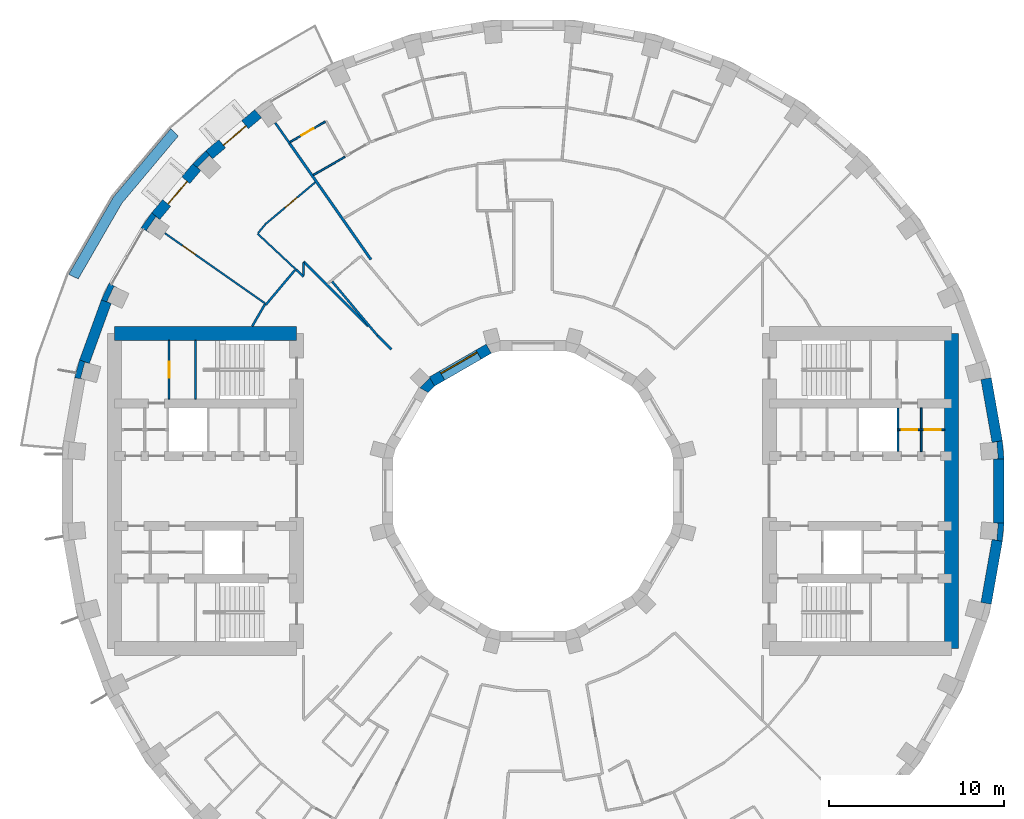
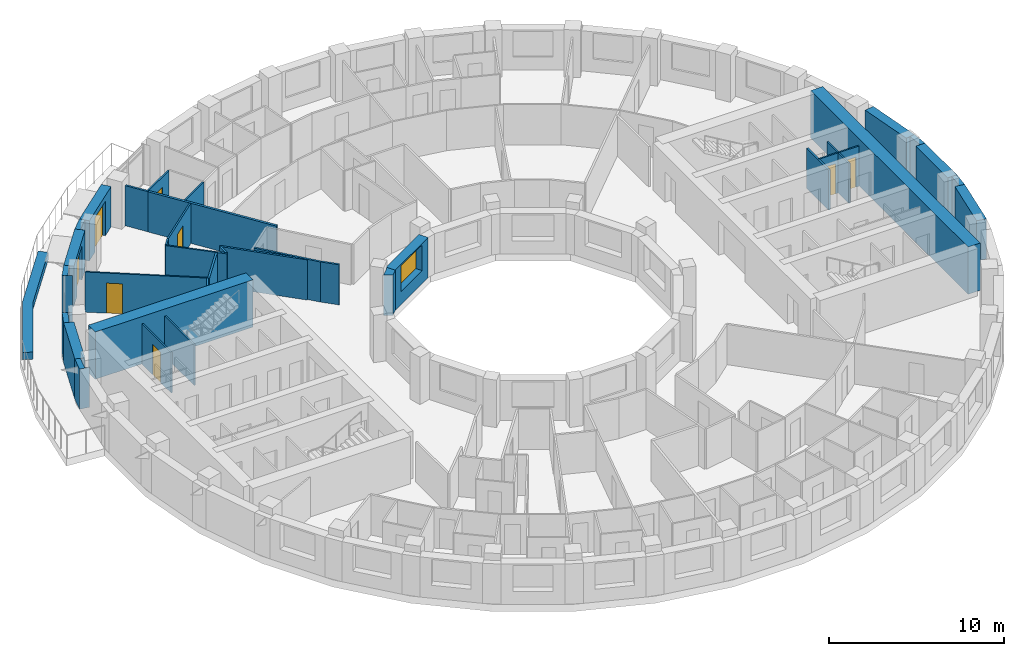
# One storey, part 10 of 15: 38 walls, 8 doors, 1 window, 9 openings.
"""IFC4 building model written with IfcOpenShell, lengths in metres."""

from ifc_helpers import new_model, si_unit, direction, frame, frame_2d, origin, place, context, subcontext, project, spatial, polyline, rectangle, outline, extrude, material, layer, layer_set, type_object, element, fill, save


model = new_model("IFC4")

# Units and contexts
model_context = context("Model", 3, precision=1e-05, world=origin(), true_north=direction((0.0, 1.0)))
body_context = subcontext(model_context, "Body", "Model", "MODEL_VIEW")
ifc_project = project(units=[si_unit("LENGTHUNIT", "METRE"), si_unit("AREAUNIT", "SQUARE_METRE"), si_unit("VOLUMEUNIT", "CUBIC_METRE"), si_unit("PLANEANGLEUNIT", "RADIAN"), si_unit("MASSUNIT", "GRAM", prefix="KILO")], contexts=[model_context])

# Site, building, storey
site_placement = place(None, origin())
site = spatial("IfcSite", under=ifc_project, at=site_placement, CompositionType="ELEMENT")
building_placement = place(site_placement, origin())
building = spatial("IfcBuilding", under=site, at=building_placement, Name="Saqina Gate Tower", CompositionType="ELEMENT")
storey_placement = place(building_placement, frame((0.0, 0.0, 108.39990234375)))
storey = spatial("IfcBuildingStorey", under=building, at=storey_placement, Name="L30", CompositionType="ELEMENT", Elevation=108.39990234375)

# Walls
ifc_material_1 = material(Name="Brick masonry (buff)", Category="masonry")
wall_type_1 = type_object("IfcWallType", Name="BRICK PIER COPING BUFF", PredefinedType="SOLIDWALL", material=ifc_material_1)
wall_1_placement = place(storey_placement, origin())
element("IfcWall", 1, at=wall_1_placement, inside=storey, type_object=wall_type_1, Name="Pier cap L30 column 1", PredefinedType="SOLIDWALL", context=body_context, shape_type="SweptSolid", body=[
    extrude(outline(polyline([(26.805419921875, 2.87451171875), (26.214599609375, 2.770263671875), (26.482421875, 2.793701171875), (26.565185546875, 1.847412109375), (26.29736328125, 1.823974609375), (26.897216796875, 1.823974609375), (26.805419921875, 2.87451171875)])), origin(), (0.0, 0.0, 1.0), 2.800048828125),
])
wall_2_placement = place(storey_placement, origin())
element("IfcWall", 2, at=wall_2_placement, inside=storey, type_object=wall_type_1, Name="Pier cap L30 column 14", PredefinedType="SOLIDWALL", context=body_context, shape_type="SweptSolid", body=[
    extrude(outline(polyline([(-18.686279296875, 19.43212890625), (-19.43212890625, 18.686279296875), (-18.972412109375, 18.30078125), (-19.16259765625, 18.49072265625), (-18.49072265625, 19.16259765625), (-18.30078125, 18.972412109375), (-18.686279296875, 19.43212890625)])), origin(), (0.0, 0.0, 1.0), 2.800048828125),
])
wall_3_placement = place(storey_placement, origin())
element("IfcWall", 3, at=wall_3_placement, inside=storey, type_object=wall_type_1, Name="Pier cap L30 column 15", PredefinedType="SOLIDWALL", context=body_context, shape_type="SweptSolid", body=[
    extrude(outline(polyline([(-22.3818359375, 15.0283203125), (-21.862060546875, 14.728271484375), (-22.08251953125, 14.88232421875), (-21.53759765625, 15.66064453125), (-21.317138671875, 15.50634765625), (-21.77685546875, 15.89208984375), (-22.3818359375, 15.0283203125)])), origin(), (0.0, 0.0, 1.0), 2.800048828125),
])
wall_4_placement = place(storey_placement, origin())
element("IfcWall", 4, at=wall_4_placement, inside=storey, type_object=wall_type_1, Name="Pier cap L30 column 16", PredefinedType="SOLIDWALL", context=body_context, shape_type="SweptSolid", body=[
    extrude(outline(polyline([(-24.6513671875, 10.913330078125), (-24.08740234375, 10.7080078125), (-24.331298828125, 10.82177734375), (-23.9296875, 11.6826171875), (-23.68603515625, 11.569091796875), (-24.205810546875, 11.869140625), (-24.6513671875, 10.913330078125)])), origin(), (0.0, 0.0, 1.0), 2.800048828125),
])
wall_5_placement = place(storey_placement, origin())
element("IfcWall", 5, at=wall_5_placement, inside=storey, type_object=wall_type_1, Name="Pier cap L30 column 17", PredefinedType="SOLIDWALL", context=body_context, shape_type="SweptSolid", body=[
    extrude(outline(polyline([(-25.89892578125, 7.485595703125), (-26.171875, 6.466796875), (-25.5810546875, 6.36279296875), (-25.8408203125, 6.43212890625), (-25.5947265625, 7.349853515625), (-25.335205078125, 7.2802734375), (-25.89892578125, 7.485595703125)])), origin(), (0.0, 0.0, 1.0), 2.800048828125),
])
wall_6_placement = place(storey_placement, origin())
element("IfcWall", 6, at=wall_6_placement, inside=storey, type_object=wall_type_1, Name="Pier cap L30 column 36", PredefinedType="SOLIDWALL", context=body_context, shape_type="SweptSolid", body=[
    extrude(outline(polyline([(26.805419921875, -2.87451171875), (26.897216796875, -1.823974609375), (26.29736328125, -1.823974609375), (26.565185546875, -1.847412109375), (26.482421875, -2.793701171875), (26.214599609375, -2.770263671875), (26.805419921875, -2.87451171875)])), origin(), (0.0, 0.0, 1.0), 2.800048828125),
])
ifc_material_2 = material(Name="Gypsum board on steel studs", Category="steel")
ifc_layer_1 = layer(ifc_material_2, 0.10009765625)
ifc_layer_set_1 = layer_set([ifc_layer_1], Name="CORE PARTITION")
wall_type_2 = type_object("IfcWallType", Name="CORE PARTITION", PredefinedType="PARTITIONING", material=ifc_layer_set_1)
wall_7_placement = place(storey_placement, frame((22.169921875, 2.25, 0.0), z_axis=(0.0, 0.0, 1.0), x_axis=(0.0, 1.0, 0.0)))
element("IfcWall", 7, at=wall_7_placement, inside=storey, type_object=wall_type_2, Name="L30-CP-E05", PredefinedType="PARTITIONING", context=body_context, shape_type="SweptSolid", body=[
    extrude(rectangle(XDim=2.5, YDim=0.10009765625, at=frame_2d((1.25, 0.0))), origin(), (0.0, 0.0, 1.0), 2.800048828125),
])

# Wall, opening, door
wall_8_placement = place(storey_placement, frame((20.840087890625, 3.5, 0.0), z_axis=(0.0, 0.0, 1.0), x_axis=(1.0, 0.0, 0.0)))
wall_8 = element("IfcWall", 8, at=wall_8_placement, inside=storey, type_object=wall_type_2, Name="L30-CP-E09", PredefinedType="PARTITIONING", context=body_context, shape_type="SweptSolid", body=[
    extrude(rectangle(XDim=1.329833984375, YDim=0.10009765625, at=frame_2d((0.6650390625, 0.0))), origin(), (0.0, 0.0, 1.0), 2.800048828125),
])
opening_1_placement = place(wall_8_placement, frame((0.215087890625, 0.0, 0.0)))
opening_1 = element("IfcOpeningElement", 9, at=opening_1_placement, cuts=wall_8, Name="Opening G08-D99", PredefinedType="OPENING", context=body_context, shape_type="SweptSolid", body=[
    extrude(rectangle(XDim=0.89990234375, YDim=2.10009765625, at=frame_2d((0.449951171875, 1.050048828125))), frame((0.0, 0.06201171875, 0.0), z_axis=(0.0, -1.0, 0.0), x_axis=(1.0, 0.0, 0.0)), (0.0, 0.0, 1.0), 0.1240234375),
])
ifc_material_3 = material(Name="Steel-framed fire door leaf, EI 60", Category="steel")
door_type_1 = type_object("IfcDoorType", Name="SERVICE ROOM DOOR 900", OperationType="SINGLE_SWING_LEFT", PredefinedType="DOOR", material=ifc_material_3)
door_1_placement = place(opening_1_placement, origin())
door_1 = element("IfcDoor", 10, at=door_1_placement, inside=storey, type_object=door_type_1, Name="L30-CD-E10", OperationType="SINGLE_SWING_LEFT", OverallHeight=2.10009765625, OverallWidth=0.89990234375, PredefinedType="DOOR", context=body_context, shape_type="SweptSolid", body=[
    extrude(rectangle(XDim=0.89990234375, YDim=2.10009765625, at=frame_2d((0.449951171875, 1.050048828125))), frame((0.0, 0.02490234375, 0.0), z_axis=(0.0, -1.0, 0.0), x_axis=(1.0, 0.0, 0.0)), (0.0, 0.0, 1.0), 0.050048828125),
])
fill(opening_1, door_1)

wall_9_placement = place(storey_placement, frame((22.169921875, 3.5, 0.0), z_axis=(0.0, 0.0, 1.0), x_axis=(1.0, 0.0, 0.0)))
wall_9 = element("IfcWall", 11, at=wall_9_placement, inside=storey, type_object=wall_type_2, Name="L30-CP-E10", PredefinedType="PARTITIONING", context=body_context, shape_type="SweptSolid", body=[
    extrude(rectangle(XDim=1.330078125, YDim=0.10009765625, at=frame_2d((0.6650390625, 0.0))), origin(), (0.0, 0.0, 1.0), 2.800048828125),
])
opening_2_placement = place(wall_9_placement, frame((0.215087890625, 0.0, 0.0)))
opening_2 = element("IfcOpeningElement", 12, at=opening_2_placement, cuts=wall_9, Name="Opening G08-D98", PredefinedType="OPENING", context=body_context, shape_type="SweptSolid", body=[
    extrude(rectangle(XDim=0.89990234375, YDim=2.10009765625, at=frame_2d((0.449951171875, 1.050048828125))), frame((0.0, 0.06201171875, 0.0), z_axis=(0.0, -1.0, 0.0), x_axis=(1.0, 0.0, 0.0)), (0.0, 0.0, 1.0), 0.1240234375),
])
door_2_placement = place(opening_2_placement, origin())
door_2 = element("IfcDoor", 13, at=door_2_placement, inside=storey, type_object=door_type_1, Name="L30-CD-E09", OperationType="SINGLE_SWING_RIGHT", OverallHeight=2.10009765625, OverallWidth=0.89990234375, PredefinedType="DOOR", context=body_context, shape_type="SweptSolid", body=[
    extrude(rectangle(XDim=0.89990234375, YDim=2.10009765625, at=frame_2d((0.449951171875, 1.050048828125))), frame((0.0, 0.02490234375, 0.0), z_axis=(0.0, -1.0, 0.0), x_axis=(1.0, 0.0, 0.0)), (0.0, 0.0, 1.0), 0.050048828125),
])
fill(opening_2, door_2)

wall_10_placement = place(storey_placement, frame((-20.782958984375, 5.25, 0.0), z_axis=(0.0, 0.0, 1.0), x_axis=(0.0, 1.0, 0.0)))
wall_10 = element("IfcWall", 14, at=wall_10_placement, inside=storey, type_object=wall_type_2, Name="L30-CP-W14", PredefinedType="PARTITIONING", context=body_context, shape_type="SweptSolid", body=[
    extrude(rectangle(XDim=3.35009765625, YDim=0.10009765625, at=frame_2d((1.675048828125, 0.0))), origin(), (0.0, 0.0, 1.0), 2.800048828125),
])
opening_3_placement = place(wall_10_placement, frame((1.22509765625, 0.0, 0.0)))
opening_3 = element("IfcOpeningElement", 15, at=opening_3_placement, cuts=wall_10, Name="Opening G08-D120", PredefinedType="OPENING", context=body_context, shape_type="SweptSolid", body=[
    extrude(rectangle(XDim=0.89990234375, YDim=2.10009765625, at=frame_2d((0.449951171875, 1.050048828125))), frame((0.0, 0.06201171875, 0.0), z_axis=(0.0, -1.0, 0.0), x_axis=(1.0, 0.0, 0.0)), (0.0, 0.0, 1.0), 0.1240234375),
])
door_3_placement = place(opening_3_placement, origin())
door_3 = element("IfcDoor", 16, at=door_3_placement, inside=storey, type_object=door_type_1, Name="L30-CD-W31", OperationType="SINGLE_SWING_RIGHT", OverallHeight=2.10009765625, OverallWidth=0.89990234375, PredefinedType="DOOR", context=body_context, shape_type="SweptSolid", body=[
    extrude(rectangle(XDim=0.89990234375, YDim=2.10009765625, at=frame_2d((0.449951171875, 1.050048828125))), frame((0.0, 0.02490234375, 0.0), z_axis=(0.0, -1.0, 0.0), x_axis=(1.0, 0.0, 0.0)), (0.0, 0.0, 1.0), 0.050048828125),
])
fill(opening_3, door_3)

ifc_material_4 = material(Name="Brick masonry (buff)", Category="masonry")
ifc_layer_2 = layer(ifc_material_4, 0.60009765625)
ifc_layer_set_2 = layer_set([ifc_layer_2], Name="FW-BRICK-BUFF")
wall_type_3 = type_object("IfcWallType", Name="FW-BRICK-BUFF", PredefinedType="SOLIDWALL", material=ifc_layer_set_2)
wall_11_placement = place(storey_placement, frame((-15.69921875, 21.547119140625, 0.0), z_axis=(0.0, 0.0, 1.0), x_axis=(-0.766055462616, -0.642774476932, 0.0)))
wall_11 = element("IfcWall", 17, at=wall_11_placement, inside=storey, type_object=wall_type_3, Name="Facade wall L30 facet 13", PredefinedType="SOLIDWALL", context=body_context, shape_type="SweptSolid", body=[
    extrude(rectangle(XDim=3.647705078125, YDim=0.60009765625, at=frame_2d((1.82373046875, 0.0))), origin(), (0.0, 0.0, 1.0), 2.800048828125),
])
opening_4_placement = place(wall_11_placement, frame((0.973876953125, 0.0, 0.0)))
opening_4 = element("IfcOpeningElement", 18, at=opening_4_placement, cuts=wall_11, Name="Opening G08-D80", PredefinedType="OPENING", context=body_context, shape_type="SweptSolid", body=[
    extrude(rectangle(XDim=1.699951171875, YDim=2.39990234375, at=frame_2d((0.85009765625, 1.199951171875))), frame((0.0, 0.31201171875, 0.0), z_axis=(0.0, -1.0, 0.0), x_axis=(1.0, 0.0, 0.0)), (0.0, 0.0, 1.0), 0.6240234375),
])
ifc_material_5 = material(Name="Aluminium glazing", Category="aluminium")
door_type_2 = type_object("IfcDoorType", Name="GD-B", OperationType="DOUBLE_DOOR_SINGLE_SWING", PredefinedType="DOOR", material=ifc_material_5)
door_4_placement = place(opening_4_placement, frame((1.699951171875, 0.0, 0.0), z_axis=(0.0, 0.0, 1.0), x_axis=(-1.0, 0.0, 0.0)))
door_4 = element("IfcDoor", 19, at=door_4_placement, inside=storey, type_object=door_type_2, Name="Terrace door L30 facet 13", OperationType="DOUBLE_DOOR_SINGLE_SWING", OverallHeight=2.39990234375, OverallWidth=1.699951171875, PredefinedType="DOOR", context=body_context, shape_type="SweptSolid", body=[
    extrude(rectangle(XDim=1.699951171875, YDim=2.39990234375, at=frame_2d((0.85009765625, 1.199951171875))), frame((0.0, -0.0751953125, 0.0), z_axis=(0.0, -1.0, 0.0), x_axis=(1.0, 0.0, 0.0)), (0.0, 0.0, 1.0), 0.050048828125),
])
fill(opening_4, door_4)

wall_12_placement = place(storey_placement, frame((-19.202392578125, 18.49365234375, 0.0), z_axis=(0.0, 0.0, 1.0), x_axis=(-0.642774476932, -0.766055462616, 0.0)))
wall_12 = element("IfcWall", 20, at=wall_12_placement, inside=storey, type_object=wall_type_3, Name="Facade wall L30 facet 14", PredefinedType="SOLIDWALL", context=body_context, shape_type="SweptSolid", body=[
    extrude(rectangle(XDim=3.647705078125, YDim=0.60009765625, at=frame_2d((1.82373046875, 0.0))), origin(), (0.0, 0.0, 1.0), 2.800048828125),
])
opening_5_placement = place(wall_12_placement, frame((0.973876953125, 0.0, 0.0)))
opening_5 = element("IfcOpeningElement", 21, at=opening_5_placement, cuts=wall_12, Name="Opening G08-D81", PredefinedType="OPENING", context=body_context, shape_type="SweptSolid", body=[
    extrude(rectangle(XDim=1.699951171875, YDim=2.39990234375, at=frame_2d((0.85009765625, 1.199951171875))), frame((0.0, 0.31201171875, 0.0), z_axis=(0.0, -1.0, 0.0), x_axis=(1.0, 0.0, 0.0)), (0.0, 0.0, 1.0), 0.6240234375),
])
door_5_placement = place(opening_5_placement, frame((1.699951171875, 0.0, 0.0), z_axis=(0.0, 0.0, 1.0), x_axis=(-1.0, 0.0, 0.0)))
door_5 = element("IfcDoor", 22, at=door_5_placement, inside=storey, type_object=door_type_2, Name="Terrace door L30 facet 14", OperationType="DOUBLE_DOOR_SINGLE_SWING", OverallHeight=2.39990234375, OverallWidth=1.699951171875, PredefinedType="DOOR", context=body_context, shape_type="SweptSolid", body=[
    extrude(rectangle(XDim=1.699951171875, YDim=2.39990234375, at=frame_2d((0.85009765625, 1.199951171875))), frame((0.0, -0.0751953125, 0.0), z_axis=(0.0, -1.0, 0.0), x_axis=(1.0, 0.0, 0.0)), (0.0, 0.0, 1.0), 0.050048828125),
])
fill(opening_5, door_5)

# Walls
ifc_material_6 = material(Name="Glazed ceramic tile", Category="ceramic")
ifc_layer_3 = layer(ifc_material_6, 0.60009765625)
ifc_layer_set_3 = layer_set([ifc_layer_3], Name="FW-TILE")
wall_type_4 = type_object("IfcWallType", Name="FW-TILE", PredefinedType="SOLIDWALL", material=ifc_layer_set_3)
for number, where, z_axis, x_axis, name in (
    (23, (26.510009765625, 2.822265625, 0.0), (0.0, 0.0, 1.0), (-0.173670796382, 0.984803764455, 0.0), "Facade wall L30 facet 1"),
    (24, (25.87646484375, -6.414794921875, 0.0), (0.0, 0.0, 1.0), (0.173670796382, 0.984803764455, 0.0), "Facade wall L30 facet 35"),
):
    element("IfcWall", number, at=place(storey_placement, frame(where, z_axis=z_axis, x_axis=x_axis)), inside=storey, type_object=wall_type_4, Name=name, PredefinedType="SOLIDWALL", context=body_context, shape_type="SweptSolid", body=[
        extrude(rectangle(XDim=3.64794921875, YDim=0.60009765625, at=frame_2d((1.823974609375, 0.0))), origin(), (0.0, 0.0, 1.0), 2.800048828125),
    ])
ifc_material_7 = material(Name="Glazed ceramic tile (dark blue)", Category="ceramic")
ifc_layer_4 = layer(ifc_material_7, 0.60009765625)
ifc_layer_set_4 = layer_set([ifc_layer_4], Name="FW-TILE-CB")
wall_type_5 = type_object("IfcWallType", Name="FW-TILE-CB", PredefinedType="SOLIDWALL", material=ifc_layer_set_4)
for number, where, z_axis, x_axis, name in (
    (25, (-24.369384765625, 10.810791015625, 0.0), (0.0, 0.0, 1.0), (-0.341990236633, -0.939703505393, 0.0), "Facade wall L30 facet 16"),
    (26, (26.59716796875, -1.823974609375, 0.0), (0.0, 0.0, 1.0), (0.0, 1.0, 0.0), "Facade wall L30 facet 36"),
):
    element("IfcWall", number, at=place(storey_placement, frame(where, z_axis=z_axis, x_axis=x_axis)), inside=storey, type_object=wall_type_5, Name=name, PredefinedType="SOLIDWALL", context=body_context, shape_type="SweptSolid", body=[
        extrude(rectangle(XDim=3.64794921875, YDim=0.60009765625, at=frame_2d((1.823974609375, 0.0))), origin(), (0.0, 0.0, 1.0), 2.800048828125),
    ])

# Wall, opening, window
ifc_material_8 = material(Name="Glazed ceramic tile", Category="ceramic")
ifc_layer_5 = layer(ifc_material_8, 0.60009765625)
ifc_layer_set_5 = layer_set([ifc_layer_5], Name="IW-TILE")
wall_type_6 = type_object("IfcWallType", Name="IW-TILE", PredefinedType="SOLIDWALL", material=ifc_layer_set_5)
wall_13_placement = place(storey_placement, frame((-2.52734375, 8.124755859375, 0.0), z_axis=(0.0, 0.0, 1.0), x_axis=(-0.86604563398, -0.499964958637, 0.0)))
wall_13 = element("IfcWall", 27, at=wall_13_placement, inside=storey, type_object=wall_type_6, Name="Well wall L30 facet 4", PredefinedType="SOLIDWALL", context=body_context, shape_type="SweptSolid", body=[
    extrude(rectangle(XDim=3.747314453125, YDim=0.60009765625, at=frame_2d((1.87353515625, 0.0))), origin(), (0.0, 0.0, 1.0), 2.800048828125),
])
opening_6_placement = place(wall_13_placement, frame((0.673583984375, 0.0, 0.89990234375)))
opening_6 = element("IfcOpeningElement", 28, at=opening_6_placement, cuts=wall_13, Name="Opening G08-W26", PredefinedType="OPENING", context=body_context, shape_type="SweptSolid", body=[
    extrude(rectangle(XDim=2.39990234375, YDim=1.800048828125, at=frame_2d((1.199951171875, 0.89990234375))), frame((0.0, 0.31201171875, 0.0), z_axis=(0.0, -1.0, 0.0), x_axis=(1.0, 0.0, 0.0)), (0.0, 0.0, 1.0), 0.6240234375),
])
ifc_material_9 = material(Name="Aluminium glazing", Category="aluminium")
window_type = type_object("IfcWindowType", Name="WN-W", PartitioningType="SINGLE_PANEL", PredefinedType="WINDOW", material=ifc_material_9)
window_placement = place(opening_6_placement, origin())
window = element("IfcWindow", 29, at=window_placement, inside=storey, type_object=window_type, Name="Well window L30 facet 4", OverallHeight=1.800048828125, OverallWidth=2.39990234375, PartitioningType="SINGLE_PANEL", PredefinedType="WINDOW", context=body_context, shape_type="SweptSolid", body=[
    extrude(rectangle(XDim=2.39990234375, YDim=1.800048828125, at=frame_2d((1.199951171875, 0.89990234375))), frame((0.0, -0.119873046875, 0.0), z_axis=(0.0, -1.0, 0.0), x_axis=(1.0, 0.0, 0.0)), (0.0, 0.0, 1.0), 0.06005859375),
])
fill(opening_6, window)

# Wall
ifc_material_10 = material(Name="Gypsum board on steel studs, 100 mm", Category="steel")
ifc_layer_6 = layer(ifc_material_10, 0.10009765625)
ifc_layer_set_6 = layer_set([ifc_layer_6], Name="PARTITION 100")
wall_type_7 = type_object("IfcWallType", Name="PARTITION 100", PredefinedType="PARTITIONING", material=ifc_layer_set_6)
wall_14_placement = place(storey_placement, frame((-15.73095703125, 14.697021484375, 0.0), z_axis=(0.0, 0.0, 1.0), x_axis=(0.730698385908, -0.682700423928, 0.0)))
element("IfcWall", 30, at=wall_14_placement, inside=storey, type_object=wall_type_7, Name="PARTITION PW3-22", PredefinedType="PARTITIONING", context=body_context, shape_type="SweptSolid", body=[
    extrude(rectangle(XDim=3.0263671875, YDim=0.10009765625, at=frame_2d((1.51318359375, 0.0))), origin(), (0.0, 0.0, 1.0), 2.800048828125),
])

# Wall, opening, door
wall_15_placement = place(storey_placement, frame((-21.023681640625, 14.720703125, 0.0), z_axis=(0.0, 0.0, 1.0), x_axis=(0.81911727686, -0.573626086183, 0.0)))
wall_15 = element("IfcWall", 31, at=wall_15_placement, inside=storey, type_object=wall_type_7, Name="PARTITION PW3-27", PredefinedType="PARTITIONING", context=body_context, shape_type="SweptSolid", body=[
    extrude(rectangle(XDim=7.004150390625, YDim=0.10009765625, at=frame_2d((3.501953125, 0.0))), origin(), (0.0, 0.0, 1.0), 2.800048828125),
])
opening_7_placement = place(wall_15_placement, frame((1.226318359375, 0.0, 0.0)))
opening_7 = element("IfcOpeningElement", 32, at=opening_7_placement, cuts=wall_15, Name="Opening G08-D21", PredefinedType="OPENING", context=body_context, shape_type="SweptSolid", body=[
    extrude(rectangle(XDim=0.89990234375, YDim=2.10009765625, at=frame_2d((0.449951171875, 1.050048828125))), frame((0.0, 0.06201171875, 0.0), z_axis=(0.0, -1.0, 0.0), x_axis=(1.0, 0.0, 0.0)), (0.0, 0.0, 1.0), 0.1240234375),
])
ifc_material_11 = material(Name="Timber door leaf, 900 mm", Category="wood")
door_type_3 = type_object("IfcDoorType", Name="DOOR 900 TIMBER", OperationType="SINGLE_SWING_LEFT", PredefinedType="DOOR", material=ifc_material_11)
door_6_placement = place(opening_7_placement, origin())
door_6 = element("IfcDoor", 33, at=door_6_placement, inside=storey, type_object=door_type_3, Name="DOOR G08-D21", OperationType="SINGLE_SWING_LEFT", OverallHeight=2.10009765625, OverallWidth=0.89990234375, PredefinedType="DOOR", context=body_context, shape_type="SweptSolid", body=[
    extrude(rectangle(XDim=0.89990234375, YDim=2.10009765625, at=frame_2d((0.449951171875, 1.050048828125))), frame((0.0, 0.02490234375, 0.0), z_axis=(0.0, -1.0, 0.0), x_axis=(1.0, 0.0, 0.0)), (0.0, 0.0, 1.0), 0.050048828125),
])
fill(opening_7, door_6)

# Wall
wall_16_placement = place(storey_placement, frame((-12.5419921875, 18.0439453125, 0.0), z_axis=(0.0, 0.0, 1.0), x_axis=(0.866154304779, 0.499776670437, 0.0)))
element("IfcWall", 34, at=wall_16_placement, inside=storey, type_object=wall_type_7, Name="PARTITION PW3-66", PredefinedType="PARTITIONING", context=body_context, shape_type="SweptSolid", body=[
    extrude(rectangle(XDim=2.0791015625, YDim=0.10009765625, at=frame_2d((1.03955078125, 0.0))), origin(), (0.0, 0.0, 1.0), 2.800048828125),
])

# Wall, opening, door
wall_17_placement = place(storey_placement, frame((-13.866943359375, 19.9345703125, 0.0), z_axis=(0.0, 0.0, 1.0), x_axis=(0.866057184078, 0.499944950877, 0.0)))
wall_17 = element("IfcWall", 35, at=wall_17_placement, inside=storey, type_object=wall_type_7, Name="PARTITION PW3-67", PredefinedType="PARTITIONING", context=body_context, shape_type="SweptSolid", body=[
    extrude(rectangle(XDim=2.311279296875, YDim=0.10009765625, at=frame_2d((1.15576171875, 0.0))), origin(), (0.0, 0.0, 1.0), 2.800048828125),
])
opening_8_placement = place(wall_17_placement, frame((0.742919921875, 0.0, 0.0)))
opening_8 = element("IfcOpeningElement", 36, at=opening_8_placement, cuts=wall_17, Name="Opening G08-D17", PredefinedType="OPENING", context=body_context, shape_type="SweptSolid", body=[
    extrude(rectangle(XDim=0.800048828125, YDim=2.10009765625, at=frame_2d((0.39990234375, 1.050048828125))), frame((0.0, 0.06201171875, 0.0), z_axis=(0.0, -1.0, 0.0), x_axis=(1.0, 0.0, 0.0)), (0.0, 0.0, 1.0), 0.1240234375),
])
ifc_material_12 = material(Name="Timber door leaf, 800 mm", Category="wood")
door_type_4 = type_object("IfcDoorType", Name="DOOR 800 TIMBER", OperationType="SINGLE_SWING_LEFT", PredefinedType="DOOR", material=ifc_material_12)
door_7_placement = place(opening_8_placement, origin())
door_7 = element("IfcDoor", 37, at=door_7_placement, inside=storey, type_object=door_type_4, Name="DOOR G08-D17", OperationType="SINGLE_SWING_LEFT", OverallHeight=2.10009765625, OverallWidth=0.800048828125, PredefinedType="DOOR", context=body_context, shape_type="SweptSolid", body=[
    extrude(rectangle(XDim=0.800048828125, YDim=2.10009765625, at=frame_2d((0.39990234375, 1.050048828125))), frame((0.0, 0.02490234375, 0.0), z_axis=(0.0, -1.0, 0.0), x_axis=(1.0, 0.0, 0.0)), (0.0, 0.0, 1.0), 0.050048828125),
])
fill(opening_8, door_7)

wall_18_placement = place(storey_placement, frame((-15.2978515625, 15.226318359375, 0.0), z_axis=(0.0, 0.0, 1.0), x_axis=(0.766080513043, 0.642744620775, 0.0)))
wall_18 = element("IfcWall", 38, at=wall_18_placement, inside=storey, type_object=wall_type_7, Name="PARTITION PW3-70", PredefinedType="PARTITIONING", context=body_context, shape_type="SweptSolid", body=[
    extrude(rectangle(XDim=3.7373046875, YDim=0.10009765625, at=frame_2d((1.86865234375, 0.0))), origin(), (0.0, 0.0, 1.0), 2.800048828125),
])
opening_9_placement = place(wall_18_placement, frame((1.481689453125, 0.0, 0.0)))
opening_9 = element("IfcOpeningElement", 39, at=opening_9_placement, cuts=wall_18, Name="Opening G08-D20", PredefinedType="OPENING", context=body_context, shape_type="SweptSolid", body=[
    extrude(rectangle(XDim=0.89990234375, YDim=2.10009765625, at=frame_2d((0.449951171875, 1.050048828125))), frame((0.0, 0.06201171875, 0.0), z_axis=(0.0, -1.0, 0.0), x_axis=(1.0, 0.0, 0.0)), (0.0, 0.0, 1.0), 0.1240234375),
])
door_8_placement = place(opening_9_placement, origin())
door_8 = element("IfcDoor", 40, at=door_8_placement, inside=storey, type_object=door_type_3, Name="DOOR G08-D20", OperationType="SINGLE_SWING_RIGHT", OverallHeight=2.10009765625, OverallWidth=0.89990234375, PredefinedType="DOOR", context=body_context, shape_type="SweptSolid", body=[
    extrude(rectangle(XDim=0.89990234375, YDim=2.10009765625, at=frame_2d((0.449951171875, 1.050048828125))), frame((0.0, 0.02490234375, 0.0), z_axis=(0.0, -1.0, 0.0), x_axis=(1.0, 0.0, 0.0)), (0.0, 0.0, 1.0), 0.050048828125),
])
fill(opening_9, door_8)

# Walls
wall_19_placement = place(storey_placement, frame((-15.69873046875, 14.7353515625, 0.0), z_axis=(0.0, 0.0, 1.0), x_axis=(0.642984258382, 0.765879392249, 0.0)))
element("IfcWall", 41, at=wall_19_placement, inside=storey, type_object=wall_type_7, Name="PARTITION PW3-76", PredefinedType="PARTITIONING", context=body_context, shape_type="SweptSolid", body=[
    extrude(rectangle(XDim=0.6337890625, YDim=0.10009765625, at=frame_2d((0.31689453125, 0.0))), origin(), (0.0, 0.0, 1.0), 2.800048828125),
])
ifc_material_13 = material(Name="Gypsum board on steel studs, 125 mm, fire rated", Category="steel")
ifc_layer_7 = layer(ifc_material_13, 0.125)
ifc_layer_set_7 = layer_set([ifc_layer_7], Name="PARTITION EI 30 125")
wall_type_8 = type_object("IfcWallType", Name="PARTITION EI 30 125", PredefinedType="PARTITIONING", material=ifc_layer_set_7)
wall_20_placement = place(storey_placement, frame((-14.720703125, 21.023681640625, 0.0), z_axis=(0.0, 0.0, 1.0), x_axis=(0.573405364028, -0.819271803801, 0.0)))
element("IfcWall", 42, at=wall_20_placement, inside=storey, type_object=wall_type_8, Name="PARTITION PW1-03", PredefinedType="PARTITIONING", context=body_context, shape_type="SweptSolid", body=[
    extrude(rectangle(XDim=1.437744140625, YDim=0.125, at=frame_2d((0.71875, 0.0))), origin(), (0.0, 0.0, 1.0), 2.800048828125),
])
wall_21_placement = place(storey_placement, frame((-11.471923828125, 11.9619140625, 0.0), z_axis=(0.0, 0.0, 1.0), x_axis=(0.642533165624, -0.766257875048, 0.0)))
element("IfcWall", 43, at=wall_21_placement, inside=storey, type_object=wall_type_8, Name="PARTITION PW1-06", PredefinedType="PARTITIONING", context=body_context, shape_type="SweptSolid", body=[
    extrude(rectangle(XDim=4.033447265625, YDim=0.125, at=frame_2d((2.0166015625, 0.0))), origin(), (0.0, 0.0, 1.0), 2.800048828125),
])
wall_22_placement = place(storey_placement, frame((-8.875244140625, 8.876220703125, 0.0), z_axis=(0.0, 0.0, 1.0), x_axis=(0.706666079052, -0.707547208826, 0.0)))
element("IfcWall", 44, at=wall_22_placement, inside=storey, type_object=wall_type_8, Name="PARTITION PW1-08", PredefinedType="PARTITIONING", context=body_context, shape_type="SweptSolid", body=[
    extrude(rectangle(XDim=1.1083984375, YDim=0.125, at=frame_2d((0.55419921875, 0.0))), origin(), (0.0, 0.0, 1.0), 2.800048828125),
])
wall_23_placement = place(storey_placement, frame((-13.10107421875, 13.09912109375, 0.0), z_axis=(0.0, 0.0, 1.0), x_axis=(0.707106781187, -0.707106781187, 0.0)))
element("IfcWall", 45, at=wall_23_placement, inside=storey, type_object=wall_type_8, Name="PARTITION PW1-09", PredefinedType="PARTITIONING", context=body_context, shape_type="SweptSolid", body=[
    extrude(rectangle(XDim=5.202880859375, YDim=0.125, at=frame_2d((2.6015625, 0.0))), origin(), (0.0, 0.0, 1.0), 2.800048828125),
])
wall_24_placement = place(storey_placement, frame((-13.51953125, 12.630859375, 0.0), z_axis=(0.0, 0.0, 1.0), x_axis=(0.730729867614, -0.682666727311, 0.0)))
element("IfcWall", 46, at=wall_24_placement, inside=storey, type_object=wall_type_8, Name="PARTITION PW1-11", PredefinedType="PARTITIONING", context=body_context, shape_type="SweptSolid", body=[
    extrude(rectangle(XDim=0.573974609375, YDim=0.125, at=frame_2d((0.287109375, 0.0))), origin(), (0.0, 0.0, 1.0), 2.800048828125),
])
wall_25_placement = place(storey_placement, frame((-15.260986328125, 10.63037109375, 0.0), z_axis=(0.0, 0.0, 1.0), x_axis=(0.642663987788, 0.766148157213, 0.0)))
element("IfcWall", 47, at=wall_25_placement, inside=storey, type_object=wall_type_8, Name="PARTITION PW1-50", PredefinedType="PARTITIONING", context=body_context, shape_type="SweptSolid", body=[
    extrude(rectangle(XDim=2.592041015625, YDim=0.125, at=frame_2d((1.2958984375, 0.0))), origin(), (0.0, 0.0, 1.0), 2.800048828125),
])
wall_26_placement = place(storey_placement, frame((-16.0390625, 9.40087890625, 0.0), z_axis=(0.0, 0.0, 1.0), x_axis=(0.499950205064, 0.866054150996, 0.0)))
element("IfcWall", 48, at=wall_26_placement, inside=storey, type_object=wall_type_8, Name="PARTITION PW1-51", PredefinedType="PARTITIONING", context=body_context, shape_type="SweptSolid", body=[
    extrude(rectangle(XDim=1.453857421875, YDim=0.125, at=frame_2d((0.72705078125, 0.0))), origin(), (0.0, 0.0, 1.0), 2.800048828125),
])
wall_27_placement = place(storey_placement, frame((-13.10009765625, 12.30859375, 0.0), z_axis=(0.0, 0.0, 1.0), x_axis=(0.0, 1.0, 0.0)))
element("IfcWall", 49, at=wall_27_placement, inside=storey, type_object=wall_type_8, Name="PARTITION PW1-60", PredefinedType="PARTITIONING", context=body_context, shape_type="SweptSolid", body=[
    extrude(rectangle(XDim=0.72802734375, YDim=0.125, at=frame_2d((0.364013671875, 0.0))), origin(), (0.0, 0.0, 1.0), 2.800048828125),
])
ifc_material_14 = material(Name="Gypsum board on steel studs, 150 mm, fire rated", Category="steel")
ifc_layer_8 = layer(ifc_material_14, 0.14990234375)
ifc_layer_set_8 = layer_set([ifc_layer_8], Name="PARTITION EI 60 150")
wall_type_9 = type_object("IfcWallType", Name="PARTITION EI 60 150", PredefinedType="PARTITIONING", material=ifc_layer_set_8)
wall_28_placement = place(storey_placement, frame((-13.896240234375, 19.845703125, 0.0), z_axis=(0.0, 0.0, 1.0), x_axis=(0.573571733859, -0.819155336989, 0.0)))
element("IfcWall", 50, at=wall_28_placement, inside=storey, type_object=wall_type_9, Name="PARTITION PW2-01", PredefinedType="PARTITIONING", context=body_context, shape_type="SweptSolid", body=[
    extrude(rectangle(XDim=8.088134765625, YDim=0.14990234375, at=frame_2d((4.0439453125, 0.0))), origin(), (0.0, 0.0, 1.0), 2.800048828125),
])
ifc_material_15 = material(Name="Brick masonry (red)", Category="masonry")
ifc_layer_9 = layer(ifc_material_15, 0.60009765625)
ifc_layer_set_9 = layer_set([ifc_layer_9], Name="PL-PLANTER")
wall_type_10 = type_object("IfcWallType", Name="PL-PLANTER", PredefinedType="PARAPET", material=ifc_layer_set_9)
wall_29_placement = place(storey_placement, origin())
element("IfcWall", 51, at=wall_29_placement, inside=storey, type_object=wall_type_10, Name="Planter L30", PredefinedType="PARAPET", context=body_context, shape_type="SweptSolid", body=[
    extrude(outline(polyline([(-20.68896484375, 20.68896484375), (-23.96728515625, 16.781982421875), (-26.517333984375, 12.365234375), (-25.971435546875, 12.110595703125), (-23.473876953125, 16.4365234375), (-20.26318359375, 20.26318359375), (-20.68896484375, 20.68896484375)])), origin(), (0.0, 0.0, 1.0), 0.5),
])
ifc_material_16 = material(Name="Autoclaved aerated concrete block", Category="concrete")
ifc_layer_10 = layer(ifc_material_16, 0.1201171875)
ifc_layer_set_10 = layer_set([ifc_layer_10], Name="SHAFT PARTITION")
wall_type_11 = type_object("IfcWallType", Name="SHAFT PARTITION", PredefinedType="PARTITIONING", material=ifc_layer_set_10)
wall_30_placement = place(storey_placement, frame((20.840087890625, 2.25, 0.0), z_axis=(0.0, 0.0, 1.0), x_axis=(0.0, 1.0, 0.0)))
element("IfcWall", 52, at=wall_30_placement, inside=storey, type_object=wall_type_11, Name="L30-CP-E04", PredefinedType="PARTITIONING", context=body_context, shape_type="SweptSolid", body=[
    extrude(rectangle(XDim=2.5, YDim=0.1201171875, at=frame_2d((1.25, 0.0))), origin(), (0.0, 0.0, 1.0), 2.800048828125),
])
ifc_material_17 = material(Name="Autoclaved aerated concrete block", Category="concrete")
ifc_layer_11 = layer(ifc_material_17, 0.10009765625)
ifc_layer_set_11 = layer_set([ifc_layer_11], Name="STAIR ENCLOSURE WALL")
wall_type_12 = type_object("IfcWallType", Name="STAIR ENCLOSURE WALL", PredefinedType="PARTITIONING", material=ifc_layer_set_11)
wall_31_placement = place(storey_placement, frame((-19.27001953125, 5.25, 0.0), z_axis=(0.0, 0.0, 1.0), x_axis=(0.0, 1.0, 0.0)))
element("IfcWall", 53, at=wall_31_placement, inside=storey, type_object=wall_type_12, Name="L30-CP-W13", PredefinedType="PARTITIONING", context=body_context, shape_type="SweptSolid", body=[
    extrude(rectangle(XDim=3.35009765625, YDim=0.10009765625, at=frame_2d((1.675048828125, 0.0))), origin(), (0.0, 0.0, 1.0), 2.800048828125),
])
ifc_material_18 = material(Name="Concrete C70/85", Category="concrete")
ifc_layer_12 = layer(ifc_material_18, 0.800048828125)
ifc_layer_set_12 = layer_set([ifc_layer_12], Name="Concrete C70/85")
wall_type_13 = type_object("IfcWallType", Name="STR-CORE WALL-B-O", PredefinedType="SHEAR", material=ifc_layer_set_12)
wall_32_placement = place(storey_placement, frame((23.89990234375, -9.0, 0.0), z_axis=(0.0, 0.0, 1.0), x_axis=(0.0, 1.0, 0.0)))
element("IfcWall", 54, at=wall_32_placement, inside=storey, type_object=wall_type_13, Name="CORE WALL L30 E-W2", PredefinedType="SHEAR", context=body_context, shape_type="SweptSolid", body=[
    extrude(rectangle(XDim=18.0, YDim=0.800048828125, at=frame_2d((9.0, 0.0))), origin(), (0.0, 0.0, 1.0), 3.300048828125),
])
wall_33_placement = place(storey_placement, frame((-13.5, 9.0, 0.0), z_axis=(0.0, 0.0, 1.0), x_axis=(-1.0, 0.0, 0.0)))
element("IfcWall", 55, at=wall_33_placement, inside=storey, type_object=wall_type_13, Name="CORE WALL L30 W-NE", PredefinedType="SHEAR", context=body_context, shape_type="SweptSolid", body=[
    extrude(rectangle(XDim=10.39990234375, YDim=0.800048828125, at=frame_2d((5.199951171875, 0.0))), origin(), (0.0, 0.0, 1.0), 3.300048828125),
])
ifc_material_19 = material(Name="Glazed ceramic tile", Category="ceramic")
wall_type_14 = type_object("IfcWallType", Name="TILE PIER COPING", PredefinedType="SOLIDWALL", material=ifc_material_19)
wall_34_placement = place(storey_placement, origin())
element("IfcWall", 56, at=wall_34_placement, inside=storey, type_object=wall_type_14, Name="Well pier cap L30 column 5", PredefinedType="SOLIDWALL", context=body_context, shape_type="SweptSolid", body=[
    extrude(outline(polyline([(-6.45751953125, 5.891845703125), (-5.991455078125, 5.622802734375), (-5.622802734375, 5.991455078125), (-5.891845703125, 6.45751953125), (-6.45751953125, 5.891845703125)])), origin(), (0.0, 0.0, 1.0), 2.800048828125),
])

save(model, "model.ifc")
